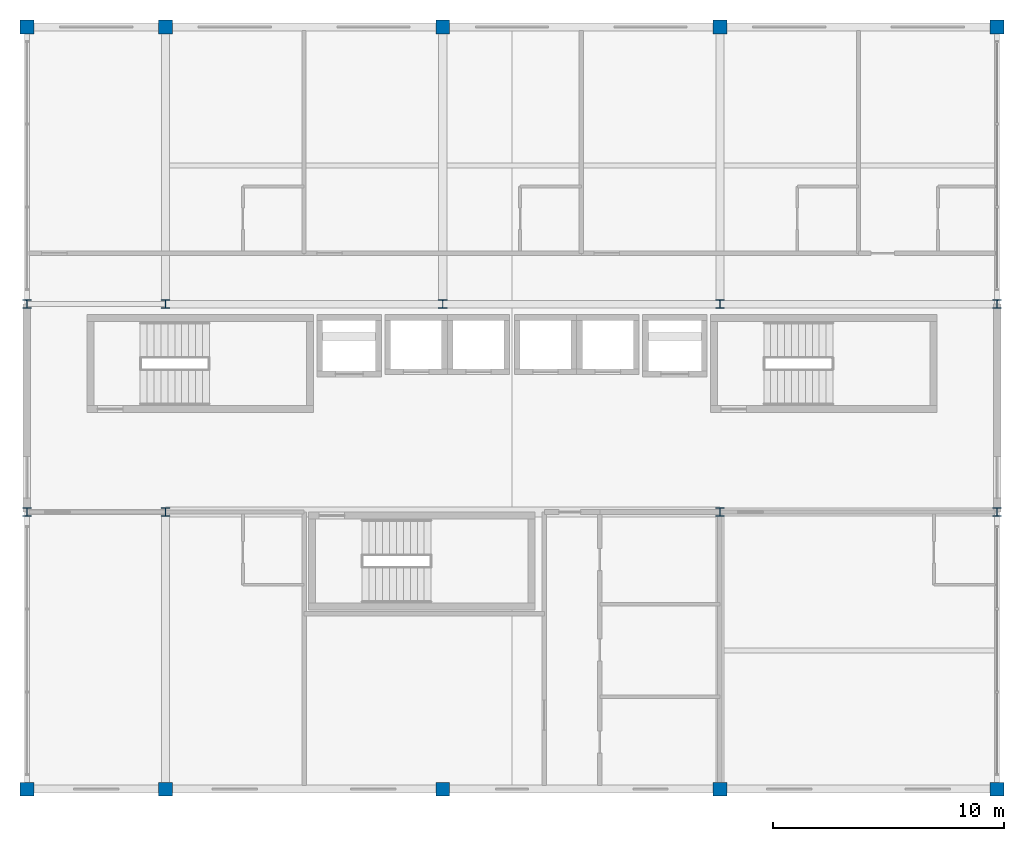
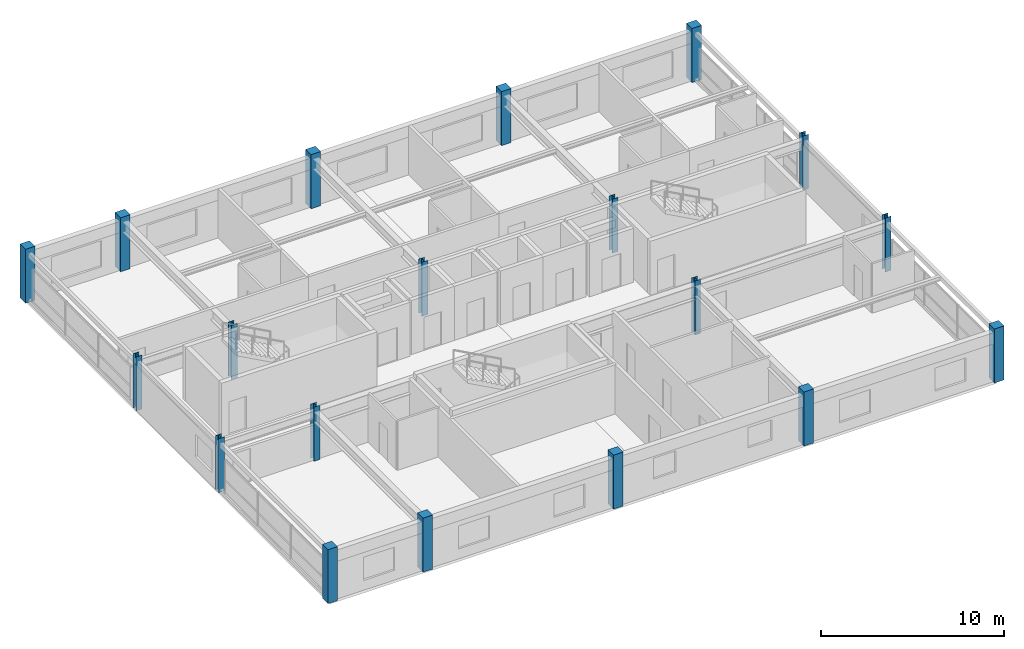
# One storey, part 1 of 22: 19 columns.
"""IFC4 building model written with IfcOpenShell, lengths in metres."""

from ifc_helpers import new_model, si_unit, direction, frame, origin, origin_2d, place, context, subcontext, project, spatial, rectangle, i_section, extrude, material, material_profile, profile_set, type_object, element, save


model = new_model("IFC4")

# Units and contexts
model_context = context("Model", 3, precision=1e-05, world=origin(), true_north=direction((0.0, 1.0)))
body_context = subcontext(model_context, "Body", "Model", "MODEL_VIEW")
ifc_project = project(units=[si_unit("LENGTHUNIT", "METRE"), si_unit("AREAUNIT", "SQUARE_METRE"), si_unit("VOLUMEUNIT", "CUBIC_METRE"), si_unit("PLANEANGLEUNIT", "RADIAN"), si_unit("MASSUNIT", "GRAM", prefix="KILO")], contexts=[model_context])

# Site, building, storey
site_placement = place(None, origin())
site = spatial("IfcSite", under=ifc_project, at=site_placement, CompositionType="ELEMENT")
building_placement = place(site_placement, origin())
building = spatial("IfcBuilding", under=site, at=building_placement, Name="Kaldorvane Square Convention Centre", CompositionType="ELEMENT")
storey_placement = place(building_placement, frame((0.0, 0.0, 67.19999694824219)))
storey = spatial("IfcBuildingStorey", under=building, at=storey_placement, Name="L16", CompositionType="ELEMENT", Elevation=67.19999694824219)

# Columns
ifc_material_1 = material(Name="Concrete f'c = 42 MPa (Normalweight)", Category="concrete")
ifc_material_profile_1 = material_profile(ifc_material_1, rectangle(XDim=0.600006103515625, YDim=0.600006103515625, at=origin_2d()), Name="RC600X600")
ifc_profile_set_1 = profile_set([ifc_material_profile_1], Name="Concrete f'c = 42 MPa (Normalweight)")
column_type_1 = type_object("IfcColumnType", Name="COL-RC-600", PredefinedType="COLUMN", material=ifc_profile_set_1)
for number, where, z_axis, x_axis, name in (
    (1, (36.0, 84.0, 0.0), (0.0, 0.0, 1.0), (1.0, 0.0, 0.0), "Column CC-07 (L16)"),
    (2, (36.0, 117.0, 0.0), (0.0, 0.0, 1.0), (1.0, 0.0, 0.0), "Column CC-07 (L16)"),
    (3, (42.0, 84.0, 0.0), (0.0, 0.0, 1.0), (1.0, 0.0, 0.0), "Column CC-07 (L16)"),
    (4, (42.0, 117.0, 0.0), (0.0, 0.0, 1.0), (1.0, 0.0, 0.0), "Column CC-07 (L16)"),
    (5, (54.0, 84.0, 0.0), (0.0, 0.0, 1.0), (1.0, 0.0, 0.0), "Column CC-07 (L16)"),
    (6, (54.0, 117.0, 0.0), (0.0, 0.0, 1.0), (1.0, 0.0, 0.0), "Column CC-07 (L16)"),
    (7, (66.0, 84.0, 0.0), (0.0, 0.0, 1.0), (1.0, 0.0, 0.0), "Column CC-07 (L16)"),
    (8, (66.0, 117.0, 0.0), (0.0, 0.0, 1.0), (1.0, 0.0, 0.0), "Column CC-07 (L16)"),
    (9, (78.0, 84.0, 0.0), (0.0, 0.0, 1.0), (1.0, 0.0, 0.0), "Column CC-07 (L16)"),
    (10, (78.0, 117.0, 0.0), (0.0, 0.0, 1.0), (1.0, 0.0, 0.0), "Column CC-07 (L16)"),
):
    element("IfcColumn", number, at=place(storey_placement, frame(where, z_axis=z_axis, x_axis=x_axis)), inside=storey, type_object=column_type_1, Name=name, PredefinedType="COLUMN", context=body_context, shape_type="SweptSolid", body=[
        extrude(rectangle(XDim=0.600006103515625, YDim=0.600006103515625, at=origin_2d()), origin(), (0.0, 0.0, 1.0), 3.600006103515625),
    ])
ifc_material_2 = material(Name="Steel ASTM A992 Gr. 50", Category="steel")
ifc_material_profile_2 = material_profile(ifc_material_2, i_section(OverallWidth=0.3726043701171875, OverallDepth=0.3677978515625, WebThickness=0.0149993896484375, FlangeThickness=0.023895263671875, FilletRadius=0.0305023193359375, at=origin_2d()), Name="W14X120")
ifc_profile_set_2 = profile_set([ifc_material_profile_2], Name="Steel ASTM A992 Gr. 50")
column_type_2 = type_object("IfcColumnType", Name="COL-STL-120", PredefinedType="COLUMN", material=ifc_profile_set_2)
for number, where, z_axis, x_axis, name in (
    (11, (36.0, 96.0, 0.0), (0.0, 0.0, 1.0), (1.0, 0.0, 0.0), "Column SC-11 (L16)"),
    (12, (36.0, 105.0, 0.0), (0.0, 0.0, 1.0), (1.0, 0.0, 0.0), "Column SC-11 (L16)"),
    (13, (42.0, 96.0, 0.0), (0.0, 0.0, 1.0), (1.0, 0.0, 0.0), "Column SC-11 (L16)"),
    (14, (42.0, 105.0, 0.0), (0.0, 0.0, 1.0), (1.0, 0.0, 0.0), "Column SC-11 (L16)"),
    (15, (54.0, 105.0, 0.0), (0.0, 0.0, 1.0), (1.0, 0.0, 0.0), "Column SC-11 (L16)"),
    (16, (66.0, 96.0, 0.0), (0.0, 0.0, 1.0), (1.0, 0.0, 0.0), "Column SC-11 (L16)"),
    (17, (66.0, 105.0, 0.0), (0.0, 0.0, 1.0), (1.0, 0.0, 0.0), "Column SC-11 (L16)"),
    (18, (78.0, 96.0, 0.0), (0.0, 0.0, 1.0), (1.0, 0.0, 0.0), "Column SC-11 (L16)"),
    (19, (78.0, 105.0, 0.0), (0.0, 0.0, 1.0), (1.0, 0.0, 0.0), "Column SC-11 (L16)"),
):
    element("IfcColumn", number, at=place(storey_placement, frame(where, z_axis=z_axis, x_axis=x_axis)), inside=storey, type_object=column_type_2, Name=name, PredefinedType="COLUMN", context=body_context, shape_type="SweptSolid", body=[
        extrude(i_section(OverallWidth=0.3726043701171875, OverallDepth=0.3677978515625, WebThickness=0.0149993896484375, FlangeThickness=0.023895263671875, FilletRadius=0.0305023193359375, at=origin_2d()), origin(), (0.0, 0.0, 1.0), 3.600006103515625),
    ])

save(model, "model.ifc")
